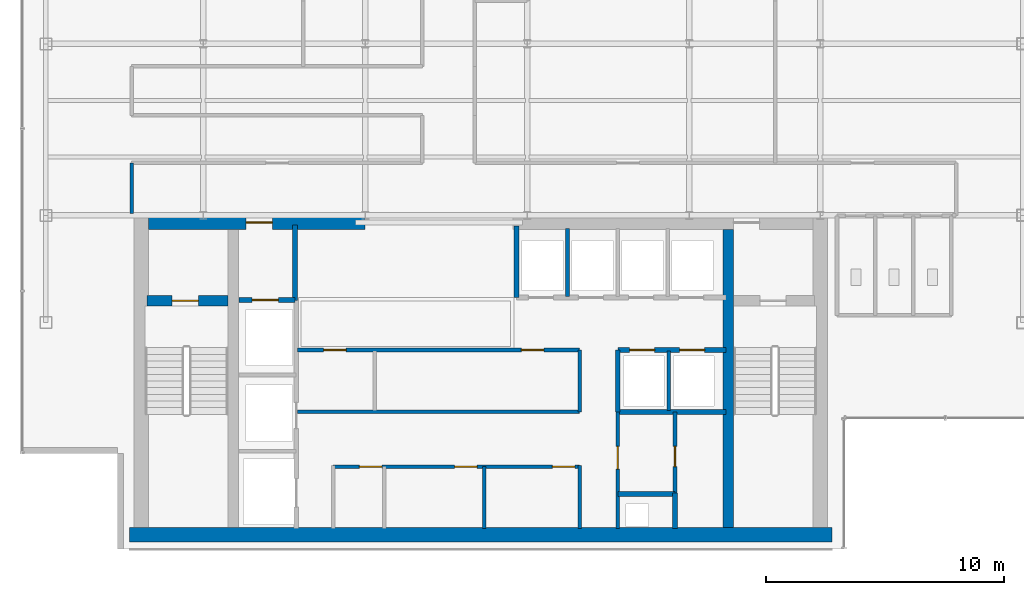
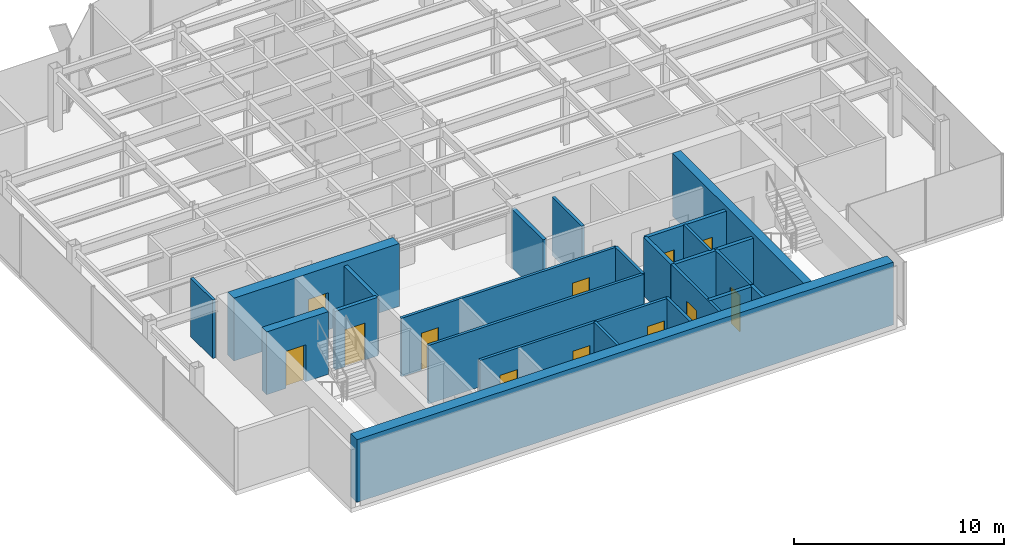
# One storey, part 17 of 22: 23 walls, 12 doors, 12 openings.
"""IFC4 building model written with IfcOpenShell, lengths in metres."""

from ifc_helpers import new_model, si_unit, derived_unit, direction, frame, frame_2d, origin, place, context, subcontext, project, spatial, rectangle, extrude, source, transform, mapped, material, layer, layer_set, type_object, element, fill, save


model = new_model("IFC4")

# Units and contexts
model_context = context("Model", 3, precision=1e-05, world=origin(), true_north=direction((0.0, 1.0)))
body_context = subcontext(model_context, "Body", "Model", "MODEL_VIEW")
ifc_project = project(units=[si_unit("LENGTHUNIT", "METRE"), si_unit("AREAUNIT", "SQUARE_METRE"), si_unit("VOLUMEUNIT", "CUBIC_METRE"), si_unit("PLANEANGLEUNIT", "RADIAN"), si_unit("MASSUNIT", "GRAM", prefix="KILO"), derived_unit("THERMALTRANSMITTANCEUNIT", [(si_unit("POWERUNIT", "WATT"), 1), (si_unit("LENGTHUNIT", "METRE"), -2), (si_unit("THERMODYNAMICTEMPERATUREUNIT", "KELVIN"), -1)])], contexts=[model_context])

# Site, building, storey
site_placement = place(None, origin())
site = spatial("IfcSite", under=ifc_project, at=site_placement, CompositionType="ELEMENT")
building_placement = place(site_placement, origin())
building = spatial("IfcBuilding", under=site, at=building_placement, Name="Skarnbrae Concourse Arena and Tower", CompositionType="ELEMENT")
storey_placement = place(building_placement, frame((0.0, 0.0, 206.85009765625)))
storey = spatial("IfcBuildingStorey", under=building, at=storey_placement, Name="L53", CompositionType="ELEMENT", Elevation=206.85009765625)

# Wall, opening, door
ifc_material_1 = material(Name="Concrete 50 MPa (C50/60)", Category="concrete")
ifc_layer_1 = layer(ifc_material_1, 0.449951171875)
ifc_layer_set_1 = layer_set([ifc_layer_1], Name="Concrete 50 MPa (C50/60)")
wall_type_1 = type_object("IfcWallType", Name="WALL-CORE-450-C50", PredefinedType="SHEAR", material=ifc_layer_set_1)
shared_shape_1 = source(origin(), body_context, "Body", "SweptSolid", [
    extrude(rectangle(XDim=3.389892578125, YDim=0.449951171875, at=frame_2d((1.69482421875, 0.0))), origin(), (0.0, 0.0, 1.0), 3.64990234375),
])
wall_1_placement = place(storey_placement, frame((5.25, 10.419921875, 0.0), z_axis=(0.0, 0.0, 1.0), x_axis=(1.0, 0.0, 0.0)))
wall_1 = element("IfcWall", 1, at=wall_1_placement, inside=storey, type_object=wall_type_1, Name="L53 Rear core shear wall CW-ST1-N", PredefinedType="SHEAR", context=body_context, shape_type="MappedRepresentation", body=[
    mapped(shared_shape_1, transform((0.0, 0.0, 0.0))),
])
opening_1_placement = place(wall_1_placement, frame((1.050048828125, 0.0, 0.0)))
opening_1 = element("IfcOpeningElement", 2, at=opening_1_placement, cuts=wall_1, Name="Opening DT-03", PredefinedType="OPENING", context=body_context, shape_type="SweptSolid", body=[
    extrude(rectangle(XDim=1.10009765625, YDim=2.14990234375, at=frame_2d((0.550048828125, 1.074951171875))), frame((0.0, 0.23486328125, 0.0), z_axis=(0.0, -1.0, 0.0), x_axis=(1.0, 0.0, 0.0)), (0.0, 0.0, 1.0), 0.469970703125),
])
ifc_material_2 = material(Name="Steel CSA G40.21 350W", Category="steel")
door_type_1 = type_object("IfcDoorType", Name="DOOR-FIRE-1100-90M", OperationType="NOTDEFINED", PredefinedType="DOOR", material=ifc_material_2)
shared_shape_2 = source(origin(), body_context, "Body", "SweptSolid", [
    extrude(rectangle(XDim=1.10009765625, YDim=2.14990234375, at=frame_2d((0.550048828125, 1.074951171875))), frame((0.0, 0.02490234375, 0.0), z_axis=(0.0, -1.0, 0.0), x_axis=(1.0, 0.0, 0.0)), (0.0, 0.0, 1.0), 0.050048828125),
])
door_1_placement = place(opening_1_placement, frame((1.10009765625, 0.0, 0.0), z_axis=(0.0, 0.0, 1.0), x_axis=(-1.0, 0.0, 0.0)))
door_1 = element("IfcDoor", 3, at=door_1_placement, inside=storey, type_object=door_type_1, Name="D-1613 Stair ST-1 Door", OperationType="SINGLE_SWING_LEFT", OverallHeight=2.14990234375, OverallWidth=1.10009765625, PredefinedType="DOOR", context=body_context, shape_type="MappedRepresentation", body=[
    mapped(shared_shape_2, transform((0.0, 0.0, 0.0))),
])
fill(opening_1, door_1)

# Wall
ifc_layer_2 = layer(ifc_material_1, 0.60009765625)
ifc_layer_set_2 = layer_set([ifc_layer_2], Name="Concrete 50 MPa (C50/60)")
wall_type_2 = type_object("IfcWallType", Name="WALL-CORE-600-C50", PredefinedType="SHEAR", material=ifc_layer_set_2)
shared_shape_3 = source(origin(), body_context, "Body", "SweptSolid", [
    extrude(rectangle(XDim=29.5, YDim=0.60009765625, at=frame_2d((14.75, 0.0))), origin(), (0.0, 0.0, 1.0), 3.64990234375),
])
wall_2_placement = place(storey_placement, frame((4.5, 0.60009765625, 0.0), z_axis=(0.0, 0.0, 1.0), x_axis=(1.0, 0.0, 0.0)))
element("IfcWall", 4, at=wall_2_placement, inside=storey, type_object=wall_type_2, Name="L53 Rear core shear wall CW-S", PredefinedType="SHEAR", context=body_context, shape_type="MappedRepresentation", body=[
    mapped(shared_shape_3, transform((0.0, 0.0, 0.0))),
])

# Wall, opening, door
shared_shape_4 = source(origin(), body_context, "Body", "SweptSolid", [
    extrude(rectangle(XDim=9.099853515625, YDim=0.60009765625, at=frame_2d((4.5498046875, 0.0))), origin(), (0.0, 0.0, 1.0), 3.64990234375),
])
wall_3_placement = place(storey_placement, frame((5.300048828125, 13.699951171875, 0.0), z_axis=(0.0, 0.0, 1.0), x_axis=(1.0, 0.0, 0.0)))
wall_3 = element("IfcWall", 5, at=wall_3_placement, inside=storey, type_object=wall_type_2, Name="L53 Rear core shear wall CW-NW", PredefinedType="SHEAR", context=body_context, shape_type="MappedRepresentation", body=[
    mapped(shared_shape_4, transform((0.0, 0.0, 0.0))),
])
opening_2_placement = place(wall_3_placement, frame((4.10009765625, 0.0, 0.0)))
opening_2 = element("IfcOpeningElement", 6, at=opening_2_placement, cuts=wall_3, Name="Opening DT-03", PredefinedType="OPENING", context=body_context, shape_type="SweptSolid", body=[
    extrude(rectangle(XDim=1.10009765625, YDim=2.14990234375, at=frame_2d((0.550048828125, 1.074951171875))), frame((0.0, 0.31005859375, 0.0), z_axis=(0.0, -1.0, 0.0), x_axis=(1.0, 0.0, 0.0)), (0.0, 0.0, 1.0), 0.6201171875),
])
door_2_placement = place(opening_2_placement, origin())
door_2 = element("IfcDoor", 7, at=door_2_placement, inside=storey, type_object=door_type_1, Name="D-1615 Firefighting Lobby Exit Door", OperationType="SINGLE_SWING_RIGHT", OverallHeight=2.14990234375, OverallWidth=1.10009765625, PredefinedType="DOOR", context=body_context, shape_type="MappedRepresentation", body=[
    mapped(shared_shape_2, transform((0.0, 0.0, 0.0))),
])
fill(opening_2, door_2)

# Walls
shared_shape_5 = source(origin(), body_context, "Body", "SweptSolid", [
    extrude(rectangle(XDim=12.5, YDim=0.449951171875, at=frame_2d((6.25, 0.0))), origin(), (0.0, 0.0, 1.0), 3.64990234375),
])
wall_4_placement = place(storey_placement, frame((29.635009765625, 0.89990234375, 0.0), z_axis=(0.0, 0.0, 1.0), x_axis=(0.0, 1.0, 0.0)))
element("IfcWall", 8, at=wall_4_placement, inside=storey, type_object=wall_type_1, Name="L53 Rear core shear wall CW-WEB-E", PredefinedType="SHEAR", context=body_context, shape_type="MappedRepresentation", body=[
    mapped(shared_shape_5, transform((0.0, 0.0, 0.0))),
])
ifc_material_3 = material(Name="Gypsum board on cold-formed steel studs", Category="steel")
ifc_layer_3 = layer(ifc_material_3, 0.199951171875)
ifc_layer_set_3 = layer_set([ifc_layer_3], Name="Gypsum board on cold-formed steel studs")
wall_type_3 = type_object("IfcWallType", Name="WALL-PART-200-2HR", PredefinedType="PARTITIONING", material=ifc_layer_set_3)
shared_shape_6 = source(origin(), body_context, "Body", "SweptSolid", [
    extrude(rectangle(XDim=3.18017578125, YDim=0.199951171875, at=frame_2d((1.590087890625, 0.0))), origin(), (0.0, 0.0, 1.0), 3.39990234375),
])
wall_5_placement = place(storey_placement, frame((11.449951171875, 10.419921875, 0.0), z_axis=(0.0, 0.0, 1.0), x_axis=(0.0, 1.0, 0.0)))
element("IfcWall", 9, at=wall_5_placement, inside=storey, type_object=wall_type_3, Name="L53 Interior partition wall W-L53-FFL-E", PredefinedType="PARTITIONING", context=body_context, shape_type="MappedRepresentation", body=[
    mapped(shared_shape_6, transform((0.0, 0.0, 0.0))),
])

# Wall, opening, door
shared_shape_7 = source(origin(), body_context, "Body", "SweptSolid", [
    extrude(rectangle(XDim=2.349853515625, YDim=0.199951171875, at=frame_2d((1.1748046875, 0.0))), origin(), (0.0, 0.0, 1.0), 3.39990234375),
])
wall_6_placement = place(storey_placement, frame((9.10009765625, 10.449951171875, 0.0), z_axis=(0.0, 0.0, 1.0), x_axis=(1.0, 0.0, 0.0)))
wall_6 = element("IfcWall", 10, at=wall_6_placement, inside=storey, type_object=wall_type_3, Name="L53 Interior partition wall W-L53-FL1-N", PredefinedType="PARTITIONING", context=body_context, shape_type="MappedRepresentation", body=[
    mapped(shared_shape_7, transform((0.0, 0.0, 0.0))),
])
opening_3_placement = place(wall_6_placement, frame((0.550048828125, 0.0, 0.0)))
opening_3 = element("IfcOpeningElement", 11, at=opening_3_placement, cuts=wall_6, Name="Opening LD-01", PredefinedType="OPENING", context=body_context, shape_type="SweptSolid", body=[
    extrude(rectangle(XDim=1.10009765625, YDim=2.14990234375, at=frame_2d((0.550048828125, 1.074951171875))), frame((0.0, 0.10986328125, 0.0), z_axis=(0.0, -1.0, 0.0), x_axis=(1.0, 0.0, 0.0)), (0.0, 0.0, 1.0), 0.219970703125),
])
door_type_2 = type_object("IfcDoorType", Name="DOOR-LIFT-SLIDE-1100", OperationType="SLIDING_TO_LEFT", PredefinedType="DOOR", material=ifc_material_2)
door_3_placement = place(opening_3_placement, origin())
door_3 = element("IfcDoor", 12, at=door_3_placement, inside=storey, type_object=door_type_2, Name="D-1617 Firefighting Lift Landing Door FL-01", OperationType="SLIDING_TO_LEFT", OverallHeight=2.14990234375, OverallWidth=1.10009765625, PredefinedType="DOOR", context=body_context, shape_type="MappedRepresentation", body=[
    mapped(shared_shape_2, transform((0.0, 0.0, 0.0))),
])
fill(opening_3, door_3)

# Walls
ifc_layer_4 = layer(ifc_material_3, 0.14990234375)
ifc_layer_set_4 = layer_set([ifc_layer_4], Name="Gypsum board on cold-formed steel studs")
wall_type_4 = type_object("IfcWallType", Name="WALL-PART-150", PredefinedType="PARTITIONING", material=ifc_layer_set_4)
shared_shape_8 = source(origin(), body_context, "Body", "SweptSolid", [
    extrude(rectangle(XDim=2.599853515625, YDim=0.14990234375, at=frame_2d((1.2998046875, 0.0))), origin(), (0.0, 0.0, 1.0), 3.39990234375),
])
wall_7_placement = place(storey_placement, frame((19.39990234375, 0.85009765625, 0.0), z_axis=(0.0, 0.0, 1.0), x_axis=(0.0, 1.0, 0.0)))
element("IfcWall", 13, at=wall_7_placement, inside=storey, type_object=wall_type_4, Name="L53 Interior partition wall W-L53-B1M-C2", PredefinedType="PARTITIONING", context=body_context, shape_type="MappedRepresentation", body=[
    mapped(shared_shape_8, transform((0.0, 0.0, 0.0))),
])
shared_shape_9 = source(origin(), body_context, "Body", "SweptSolid", [
    extrude(rectangle(XDim=2.60009765625, YDim=0.199951171875, at=frame_2d((1.300048828125, 0.0))), origin(), (0.0, 0.0, 1.0), 3.39990234375),
])
wall_8_placement = place(storey_placement, frame((25.0, 5.75, 0.0), z_axis=(0.0, 0.0, 1.0), x_axis=(0.0, 1.0, 0.0)))
element("IfcWall", 14, at=wall_8_placement, inside=storey, type_object=wall_type_3, Name="L53 Interior partition wall W-L53-B3S-W", PredefinedType="PARTITIONING", context=body_context, shape_type="MappedRepresentation", body=[
    mapped(shared_shape_9, transform((0.0, 0.0, 0.0))),
])
shared_shape_10 = source(origin(), body_context, "Body", "SweptSolid", [
    extrude(rectangle(XDim=2.5, YDim=0.14990234375, at=frame_2d((1.25, 0.0))), origin(), (0.0, 0.0, 1.0), 3.39990234375),
])
wall_9_placement = place(storey_placement, frame((27.139892578125, 5.800048828125, 0.0), z_axis=(0.0, 0.0, 1.0), x_axis=(0.0, 1.0, 0.0)))
element("IfcWall", 15, at=wall_9_placement, inside=storey, type_object=wall_type_4, Name="L53 Interior partition wall W-L53-B3S-P1", PredefinedType="PARTITIONING", context=body_context, shape_type="MappedRepresentation", body=[
    mapped(shared_shape_10, transform((0.0, 0.0, 0.0))),
])
shared_shape_11 = source(origin(), body_context, "Body", "SweptSolid", [
    extrude(rectangle(XDim=3.0, YDim=0.199951171875, at=frame_2d((1.5, 0.0))), origin(), (0.0, 0.0, 1.0), 3.39990234375),
])
wall_10_placement = place(storey_placement, frame((20.75, 10.550048828125, 0.0), z_axis=(0.0, 0.0, 1.0), x_axis=(0.0, 1.0, 0.0)))
element("IfcWall", 16, at=wall_10_placement, inside=storey, type_object=wall_type_3, Name="L53 Interior partition wall W-L53-B3N-W", PredefinedType="PARTITIONING", context=body_context, shape_type="MappedRepresentation", body=[
    mapped(shared_shape_11, transform((0.0, 0.0, 0.0))),
])
shared_shape_12 = source(origin(), body_context, "Body", "SweptSolid", [
    extrude(rectangle(XDim=2.849853515625, YDim=0.14990234375, at=frame_2d((1.4248046875, 0.0))), origin(), (0.0, 0.0, 1.0), 3.39990234375),
])
wall_11_placement = place(storey_placement, frame((22.889892578125, 10.60009765625, 0.0), z_axis=(0.0, 0.0, 1.0), x_axis=(0.0, 1.0, 0.0)))
element("IfcWall", 17, at=wall_11_placement, inside=storey, type_object=wall_type_4, Name="L53 Interior partition wall W-L53-B3N-P1", PredefinedType="PARTITIONING", context=body_context, shape_type="MappedRepresentation", body=[
    mapped(shared_shape_12, transform((0.0, 0.0, 0.0))),
])

# Wall, openings, doors
shared_shape_13 = source(origin(), body_context, "Body", "SweptSolid", [
    extrude(rectangle(XDim=4.550048828125, YDim=0.199951171875, at=frame_2d((2.27490234375, 0.0))), origin(), (0.0, 0.0, 1.0), 3.39990234375),
])
wall_12_placement = place(storey_placement, frame((25.0, 8.35009765625, 0.0), z_axis=(0.0, 0.0, 1.0), x_axis=(1.0, 0.0, 0.0)))
wall_12 = element("IfcWall", 18, at=wall_12_placement, inside=storey, type_object=wall_type_3, Name="L53 Interior partition wall W-L53-B3S-N", PredefinedType="PARTITIONING", context=body_context, shape_type="MappedRepresentation", body=[
    mapped(shared_shape_13, transform((0.0, 0.0, 0.0))),
])
opening_4_placement = place(wall_12_placement, frame((0.5, 0.0, 0.0)))
opening_4 = element("IfcOpeningElement", 19, at=opening_4_placement, cuts=wall_12, Name="Opening LD-04", PredefinedType="OPENING", context=body_context, shape_type="SweptSolid", body=[
    extrude(rectangle(XDim=1.050048828125, YDim=2.14990234375, at=frame_2d((0.52490234375, 1.074951171875))), frame((0.0, 0.10986328125, 0.0), z_axis=(0.0, -1.0, 0.0), x_axis=(1.0, 0.0, 0.0)), (0.0, 0.0, 1.0), 0.219970703125),
])
opening_5_placement = place(wall_12_placement, frame((2.60009765625, 0.0, 0.0)))
opening_5 = element("IfcOpeningElement", 20, at=opening_5_placement, cuts=wall_12, Name="Opening LD-04", PredefinedType="OPENING", context=body_context, shape_type="SweptSolid", body=[
    extrude(rectangle(XDim=1.050048828125, YDim=2.14990234375, at=frame_2d((0.52490234375, 1.074951171875))), frame((0.0, 0.10986328125, 0.0), z_axis=(0.0, -1.0, 0.0), x_axis=(1.0, 0.0, 0.0)), (0.0, 0.0, 1.0), 0.219970703125),
])
ifc_material_4 = material(Name="Bronze anodised aluminium 6063-T6", Category="aluminium")
door_type_3 = type_object("IfcDoorType", Name="DOOR-LIFT-SLIDE-1050H", OperationType="SLIDING_TO_LEFT", PredefinedType="DOOR", material=ifc_material_4)
shared_shape_14 = source(origin(), body_context, "Body", "SweptSolid", [
    extrude(rectangle(XDim=1.050048828125, YDim=2.14990234375, at=frame_2d((0.52490234375, 1.074951171875))), frame((0.0, 0.02490234375, 0.0), z_axis=(0.0, -1.0, 0.0), x_axis=(1.0, 0.0, 0.0)), (0.0, 0.0, 1.0), 0.050048828125),
])
door_4_placement = place(opening_4_placement, origin())
door_4 = element("IfcDoor", 21, at=door_4_placement, inside=storey, type_object=door_type_3, Name="D-1629 Passenger Lift Landing Door PL-3E", OperationType="SLIDING_TO_LEFT", OverallHeight=2.14990234375, OverallWidth=1.050048828125, PredefinedType="DOOR", context=body_context, shape_type="MappedRepresentation", body=[
    mapped(shared_shape_14, transform((0.0, 0.0, 0.0))),
])
fill(opening_4, door_4)
door_5_placement = place(opening_5_placement, origin())
door_5 = element("IfcDoor", 22, at=door_5_placement, inside=storey, type_object=door_type_3, Name="D-1630 Passenger Lift Landing Door PL-3F", OperationType="SLIDING_TO_LEFT", OverallHeight=2.14990234375, OverallWidth=1.050048828125, PredefinedType="DOOR", context=body_context, shape_type="MappedRepresentation", body=[
    mapped(shared_shape_14, transform((0.0, 0.0, 0.0))),
])
fill(opening_5, door_5)

# Wall
wall_13_placement = place(storey_placement, frame((25.0, 5.75, 0.0), z_axis=(0.0, 0.0, 1.0), x_axis=(1.0, 0.0, 0.0)))
element("IfcWall", 23, at=wall_13_placement, inside=storey, type_object=wall_type_3, Name="L53 Interior partition wall W-L53-B3S-S", PredefinedType="PARTITIONING", context=body_context, shape_type="MappedRepresentation", body=[
    mapped(shared_shape_13, transform((0.0, 0.0, 0.0))),
])

# Wall, opening, door
ifc_layer_5 = layer(ifc_material_3, 0.14990234375)
ifc_layer_set_5 = layer_set([ifc_layer_5], Name="Gypsum board on cold-formed steel studs")
wall_type_5 = type_object("IfcWallType", Name="WALL-PART-150-1HR", PredefinedType="PARTITIONING", material=ifc_layer_set_5)
shared_shape_15 = source(origin(), body_context, "Body", "SweptSolid", [
    extrude(rectangle(XDim=4.89990234375, YDim=0.14990234375, at=frame_2d((2.449951171875, 0.0))), origin(), (0.0, 0.0, 1.0), 3.39990234375),
])
wall_14_placement = place(storey_placement, frame((25.0, 0.85009765625, 0.0), z_axis=(0.0, 0.0, 1.0), x_axis=(0.0, 1.0, 0.0)))
wall_14 = element("IfcWall", 24, at=wall_14_placement, inside=storey, type_object=wall_type_5, Name="L53 Interior partition wall W-L53-CSV-W", PredefinedType="PARTITIONING", context=body_context, shape_type="MappedRepresentation", body=[
    mapped(shared_shape_15, transform((0.0, 0.0, 0.0))),
])
opening_6_placement = place(wall_14_placement, frame((2.5, 0.0, 0.0)))
opening_6 = element("IfcOpeningElement", 25, at=opening_6_placement, cuts=wall_14, Name="Opening DT-04", PredefinedType="OPENING", context=body_context, shape_type="SweptSolid", body=[
    extrude(rectangle(XDim=0.949951171875, YDim=2.14990234375, at=frame_2d((0.47509765625, 1.074951171875))), frame((0.0, 0.0849609375, 0.0), z_axis=(0.0, -1.0, 0.0), x_axis=(1.0, 0.0, 0.0)), (0.0, 0.0, 1.0), 0.169921875),
])
door_type_4 = type_object("IfcDoorType", Name="DOOR-INT-950-45M", OperationType="NOTDEFINED", PredefinedType="DOOR", material=ifc_material_2)
shared_shape_16 = source(origin(), body_context, "Body", "SweptSolid", [
    extrude(rectangle(XDim=0.949951171875, YDim=2.14990234375, at=frame_2d((0.47509765625, 1.074951171875))), frame((0.0, 0.02490234375, 0.0), z_axis=(0.0, -1.0, 0.0), x_axis=(1.0, 0.0, 0.0)), (0.0, 0.0, 1.0), 0.050048828125),
])
door_6_placement = place(opening_6_placement, origin())
door_6 = element("IfcDoor", 26, at=door_6_placement, inside=storey, type_object=door_type_4, Name="D-1631 Core Pantry Door", OperationType="SINGLE_SWING_RIGHT", OverallHeight=2.14990234375, OverallWidth=0.949951171875, PredefinedType="DOOR", context=body_context, shape_type="MappedRepresentation", body=[
    mapped(shared_shape_16, transform((0.0, 0.0, 0.0))),
])
fill(opening_6, door_6)

# Walls
shared_shape_17 = source(origin(), body_context, "Body", "SweptSolid", [
    extrude(rectangle(XDim=2.39990234375, YDim=0.199951171875, at=frame_2d((1.199951171875, 0.0))), origin(), (0.0, 0.0, 1.0), 3.39990234375),
])
wall_15_placement = place(storey_placement, frame((25.0, 2.300048828125, 0.0), z_axis=(0.0, 0.0, 1.0), x_axis=(1.0, 0.0, 0.0)))
element("IfcWall", 27, at=wall_15_placement, inside=storey, type_object=wall_type_3, Name="L53 Interior partition wall W-L53-MEP-N", PredefinedType="PARTITIONING", context=body_context, shape_type="MappedRepresentation", body=[
    mapped(shared_shape_17, transform((0.0, 0.0, 0.0))),
])
shared_shape_18 = source(origin(), body_context, "Body", "SweptSolid", [
    extrude(rectangle(XDim=1.5, YDim=0.199951171875, at=frame_2d((0.75, 0.0))), origin(), (0.0, 0.0, 1.0), 3.39990234375),
])
wall_16_placement = place(storey_placement, frame((27.39990234375, 0.85009765625, 0.0), z_axis=(0.0, 0.0, 1.0), x_axis=(0.0, 1.0, 0.0)))
element("IfcWall", 28, at=wall_16_placement, inside=storey, type_object=wall_type_3, Name="L53 Interior partition wall W-L53-MEP-E", PredefinedType="PARTITIONING", context=body_context, shape_type="MappedRepresentation", body=[
    mapped(shared_shape_18, transform((0.0, 0.0, 0.0))),
])

# Wall, opening, door
shared_shape_19 = source(origin(), body_context, "Body", "SweptSolid", [
    extrude(rectangle(XDim=3.39990234375, YDim=0.14990234375, at=frame_2d((1.699951171875, 0.0))), origin(), (0.0, 0.0, 1.0), 3.39990234375),
])
wall_17_placement = place(storey_placement, frame((27.39990234375, 2.35009765625, 0.0), z_axis=(0.0, 0.0, 1.0), x_axis=(0.0, 1.0, 0.0)))
wall_17 = element("IfcWall", 29, at=wall_17_placement, inside=storey, type_object=wall_type_4, Name="L53 Interior partition wall W-L53-CSV-V", PredefinedType="PARTITIONING", context=body_context, shape_type="MappedRepresentation", body=[
    mapped(shared_shape_19, transform((0.0, 0.0, 0.0))),
])
opening_7_placement = place(wall_17_placement, frame((1.10009765625, 0.0, 0.0)))
opening_7 = element("IfcOpeningElement", 30, at=opening_7_placement, cuts=wall_17, Name="Opening DT-06", PredefinedType="OPENING", context=body_context, shape_type="SweptSolid", body=[
    extrude(rectangle(XDim=0.85009765625, YDim=2.10009765625, at=frame_2d((0.425048828125, 1.050048828125))), frame((0.0, 0.0849609375, 0.0), z_axis=(0.0, -1.0, 0.0), x_axis=(1.0, 0.0, 0.0)), (0.0, 0.0, 1.0), 0.169921875),
])
ifc_material_5 = material(Name="Architectural oak veneer timber leaf", Category="wood")
door_type_5 = type_object("IfcDoorType", Name="DOOR-INT-850", OperationType="NOTDEFINED", PredefinedType="DOOR", material=ifc_material_5)
shared_shape_20 = source(origin(), body_context, "Body", "SweptSolid", [
    extrude(rectangle(XDim=0.85009765625, YDim=2.10009765625, at=frame_2d((0.425048828125, 1.050048828125))), frame((0.0, 0.02490234375, 0.0), z_axis=(0.0, -1.0, 0.0), x_axis=(1.0, 0.0, 0.0)), (0.0, 0.0, 1.0), 0.050048828125),
])
door_7_placement = place(opening_7_placement, frame((0.85009765625, 0.0, 0.0), z_axis=(0.0, 0.0, 1.0), x_axis=(-1.0, 0.0, 0.0)))
door_7 = element("IfcDoor", 31, at=door_7_placement, inside=storey, type_object=door_type_5, Name="D-1632 Supply Cupboard Door", OperationType="SINGLE_SWING_LEFT", OverallHeight=2.10009765625, OverallWidth=0.85009765625, PredefinedType="DOOR", context=body_context, shape_type="MappedRepresentation", body=[
    mapped(shared_shape_20, transform((0.0, 0.0, 0.0))),
])
fill(opening_7, door_7)

# Wall
shared_shape_21 = source(origin(), body_context, "Body", "SweptSolid", [
    extrude(rectangle(XDim=2.64990234375, YDim=0.14990234375, at=frame_2d((1.324951171875, 0.0))), origin(), (0.0, 0.0, 1.0), 3.39990234375),
])
wall_18_placement = place(storey_placement, frame((23.39990234375, 0.85009765625, 0.0), z_axis=(0.0, 0.0, 1.0), x_axis=(0.0, 1.0, 0.0)))
element("IfcWall", 32, at=wall_18_placement, inside=storey, type_object=wall_type_5, Name="L53 Interior partition wall W-L53-B1M-E", PredefinedType="PARTITIONING", context=body_context, shape_type="MappedRepresentation", body=[
    mapped(shared_shape_21, transform((0.0, 0.0, 0.0))),
])

# Wall, openings, doors
shared_shape_22 = source(origin(), body_context, "Body", "SweptSolid", [
    extrude(rectangle(XDim=10.349853515625, YDim=0.14990234375, at=frame_2d((5.1748046875, 0.0))), origin(), (0.0, 0.0, 1.0), 3.39990234375),
])
wall_19_placement = place(storey_placement, frame((13.050048828125, 3.449951171875, 0.0), z_axis=(0.0, 0.0, 1.0), x_axis=(1.0, 0.0, 0.0)))
wall_19 = element("IfcWall", 33, at=wall_19_placement, inside=storey, type_object=wall_type_5, Name="L53 Interior partition wall W-L53-B1M-N", PredefinedType="PARTITIONING", context=body_context, shape_type="MappedRepresentation", body=[
    mapped(shared_shape_22, transform((0.0, 0.0, 0.0))),
])
opening_8_placement = place(wall_19_placement, frame((1.10009765625, 0.0, 0.0)))
opening_8 = element("IfcOpeningElement", 34, at=opening_8_placement, cuts=wall_19, Name="Opening DT-04", PredefinedType="OPENING", context=body_context, shape_type="SweptSolid", body=[
    extrude(rectangle(XDim=0.949951171875, YDim=2.14990234375, at=frame_2d((0.47509765625, 1.074951171875))), frame((0.0, 0.0849609375, 0.0), z_axis=(0.0, -1.0, 0.0), x_axis=(1.0, 0.0, 0.0)), (0.0, 0.0, 1.0), 0.169921875),
])
opening_9_placement = place(wall_19_placement, frame((5.10009765625, 0.0, 0.0)))
opening_9 = element("IfcOpeningElement", 35, at=opening_9_placement, cuts=wall_19, Name="Opening DT-04", PredefinedType="OPENING", context=body_context, shape_type="SweptSolid", body=[
    extrude(rectangle(XDim=0.949951171875, YDim=2.14990234375, at=frame_2d((0.47509765625, 1.074951171875))), frame((0.0, 0.0849609375, 0.0), z_axis=(0.0, -1.0, 0.0), x_axis=(1.0, 0.0, 0.0)), (0.0, 0.0, 1.0), 0.169921875),
])
opening_10_placement = place(wall_19_placement, frame((9.199951171875, 0.0, 0.0)))
opening_10 = element("IfcOpeningElement", 36, at=opening_10_placement, cuts=wall_19, Name="Opening DT-04", PredefinedType="OPENING", context=body_context, shape_type="SweptSolid", body=[
    extrude(rectangle(XDim=0.949951171875, YDim=2.14990234375, at=frame_2d((0.47509765625, 1.074951171875))), frame((0.0, 0.0849609375, 0.0), z_axis=(0.0, -1.0, 0.0), x_axis=(1.0, 0.0, 0.0)), (0.0, 0.0, 1.0), 0.169921875),
])
door_8_placement = place(opening_8_placement, origin())
door_8 = element("IfcDoor", 37, at=door_8_placement, inside=storey, type_object=door_type_4, Name="D-1620 Core Service Door 1", OperationType="SINGLE_SWING_LEFT", OverallHeight=2.14990234375, OverallWidth=0.949951171875, PredefinedType="DOOR", context=body_context, shape_type="MappedRepresentation", body=[
    mapped(shared_shape_16, transform((0.0, 0.0, 0.0))),
])
fill(opening_8, door_8)
door_9_placement = place(opening_9_placement, origin())
door_9 = element("IfcDoor", 38, at=door_9_placement, inside=storey, type_object=door_type_4, Name="D-1621 Core Service Door 2", OperationType="SINGLE_SWING_RIGHT", OverallHeight=2.14990234375, OverallWidth=0.949951171875, PredefinedType="DOOR", context=body_context, shape_type="MappedRepresentation", body=[
    mapped(shared_shape_16, transform((0.0, 0.0, 0.0))),
])
fill(opening_9, door_9)
door_10_placement = place(opening_10_placement, origin())
door_10 = element("IfcDoor", 39, at=door_10_placement, inside=storey, type_object=door_type_4, Name="D-1622 Core Service Door 3", OperationType="SINGLE_SWING_LEFT", OverallHeight=2.14990234375, OverallWidth=0.949951171875, PredefinedType="DOOR", context=body_context, shape_type="MappedRepresentation", body=[
    mapped(shared_shape_16, transform((0.0, 0.0, 0.0))),
])
fill(opening_10, door_10)

# Walls
shared_shape_23 = source(origin(), body_context, "Body", "SweptSolid", [
    extrude(rectangle(XDim=2.119873046875, YDim=0.14990234375, at=frame_2d((1.06005859375, 0.0))), origin(), (0.0, 0.0, 1.0), 3.39990234375),
])
wall_20_placement = place(storey_placement, frame((4.60009765625, 14.080078125, 0.0), z_axis=(0.0, 0.0, 1.0), x_axis=(0.0, 1.0, 0.0)))
element("IfcWall", 40, at=wall_20_placement, inside=storey, type_object=wall_type_5, Name="L53 Interior partition wall W-L53-COR-01", PredefinedType="PARTITIONING", context=body_context, shape_type="MappedRepresentation", body=[
    mapped(shared_shape_23, transform((0.0, 0.0, 0.0))),
])
shared_shape_24 = source(origin(), body_context, "Body", "SweptSolid", [
    extrude(rectangle(XDim=11.849853515625, YDim=0.14990234375, at=frame_2d((5.9248046875, 0.0))), origin(), (0.0, 0.0, 1.0), 3.39990234375),
])
wall_21_placement = place(storey_placement, frame((11.550048828125, 5.75, 0.0), z_axis=(0.0, 0.0, 1.0), x_axis=(1.0, 0.0, 0.0)))
element("IfcWall", 41, at=wall_21_placement, inside=storey, type_object=wall_type_5, Name="L53 Interior partition wall W-L53-B2M-S", PredefinedType="PARTITIONING", context=body_context, shape_type="MappedRepresentation", body=[
    mapped(shared_shape_24, transform((0.0, 0.0, 0.0))),
])

# Wall, openings, doors
wall_22_placement = place(storey_placement, frame((11.550048828125, 8.35009765625, 0.0), z_axis=(0.0, 0.0, 1.0), x_axis=(1.0, 0.0, 0.0)))
wall_22 = element("IfcWall", 42, at=wall_22_placement, inside=storey, type_object=wall_type_5, Name="L53 Interior partition wall W-L53-B2M-N", PredefinedType="PARTITIONING", context=body_context, shape_type="MappedRepresentation", body=[
    mapped(shared_shape_24, transform((0.0, 0.0, 0.0))),
])
opening_11_placement = place(wall_22_placement, frame((1.10009765625, 0.0, 0.0)))
opening_11 = element("IfcOpeningElement", 43, at=opening_11_placement, cuts=wall_22, Name="Opening DT-04", PredefinedType="OPENING", context=body_context, shape_type="SweptSolid", body=[
    extrude(rectangle(XDim=0.949951171875, YDim=2.14990234375, at=frame_2d((0.47509765625, 1.074951171875))), frame((0.0, 0.0849609375, 0.0), z_axis=(0.0, -1.0, 0.0), x_axis=(1.0, 0.0, 0.0)), (0.0, 0.0, 1.0), 0.169921875),
])
opening_12_placement = place(wall_22_placement, frame((9.39990234375, 0.0, 0.0)))
opening_12 = element("IfcOpeningElement", 44, at=opening_12_placement, cuts=wall_22, Name="Opening DT-04", PredefinedType="OPENING", context=body_context, shape_type="SweptSolid", body=[
    extrude(rectangle(XDim=0.949951171875, YDim=2.14990234375, at=frame_2d((0.47509765625, 1.074951171875))), frame((0.0, 0.0849609375, 0.0), z_axis=(0.0, -1.0, 0.0), x_axis=(1.0, 0.0, 0.0)), (0.0, 0.0, 1.0), 0.169921875),
])
door_11_placement = place(opening_11_placement, origin())
door_11 = element("IfcDoor", 45, at=door_11_placement, inside=storey, type_object=door_type_4, Name="D-1623 High-Zone Data Door", OperationType="SINGLE_SWING_RIGHT", OverallHeight=2.14990234375, OverallWidth=0.949951171875, PredefinedType="DOOR", context=body_context, shape_type="MappedRepresentation", body=[
    mapped(shared_shape_16, transform((0.0, 0.0, 0.0))),
])
fill(opening_11, door_11)
door_12_placement = place(opening_12_placement, origin())
door_12 = element("IfcDoor", 46, at=door_12_placement, inside=storey, type_object=door_type_4, Name="D-1624 Reprographics Door", OperationType="SINGLE_SWING_LEFT", OverallHeight=2.14990234375, OverallWidth=0.949951171875, PredefinedType="DOOR", context=body_context, shape_type="MappedRepresentation", body=[
    mapped(shared_shape_16, transform((0.0, 0.0, 0.0))),
])
fill(opening_12, door_12)

# Wall
shared_shape_25 = source(origin(), body_context, "Body", "SweptSolid", [
    extrude(rectangle(XDim=2.60009765625, YDim=0.14990234375, at=frame_2d((1.300048828125, 0.0))), origin(), (0.0, 0.0, 1.0), 3.39990234375),
])
wall_23_placement = place(storey_placement, frame((23.39990234375, 5.75, 0.0), z_axis=(0.0, 0.0, 1.0), x_axis=(0.0, 1.0, 0.0)))
element("IfcWall", 47, at=wall_23_placement, inside=storey, type_object=wall_type_5, Name="L53 Interior partition wall W-L53-B2M-E", PredefinedType="PARTITIONING", context=body_context, shape_type="MappedRepresentation", body=[
    mapped(shared_shape_25, transform((0.0, 0.0, 0.0))),
])

save(model, "model.ifc")
